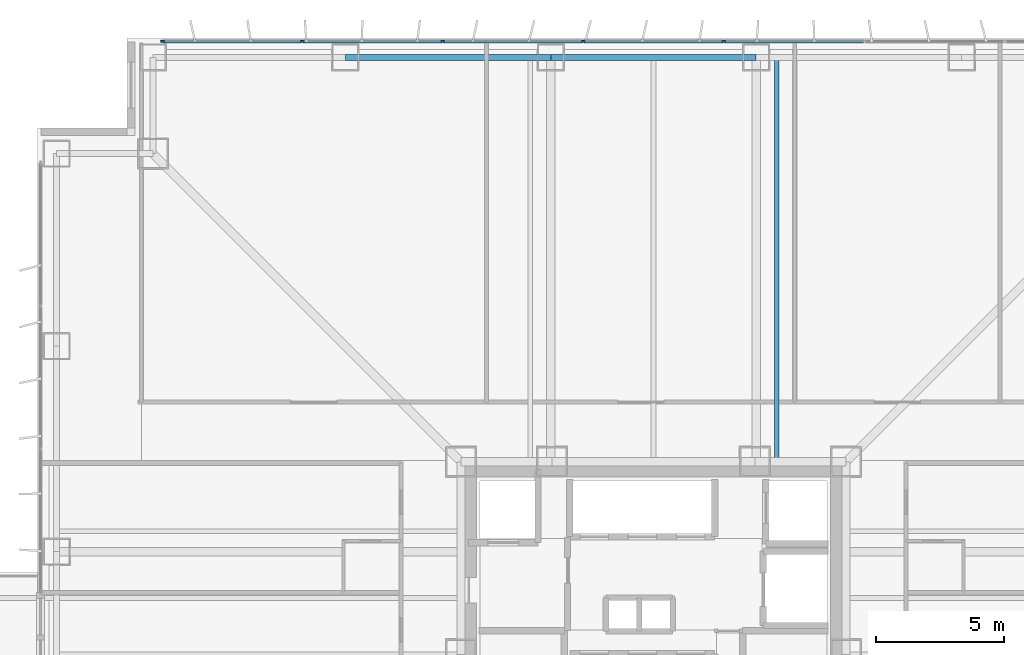
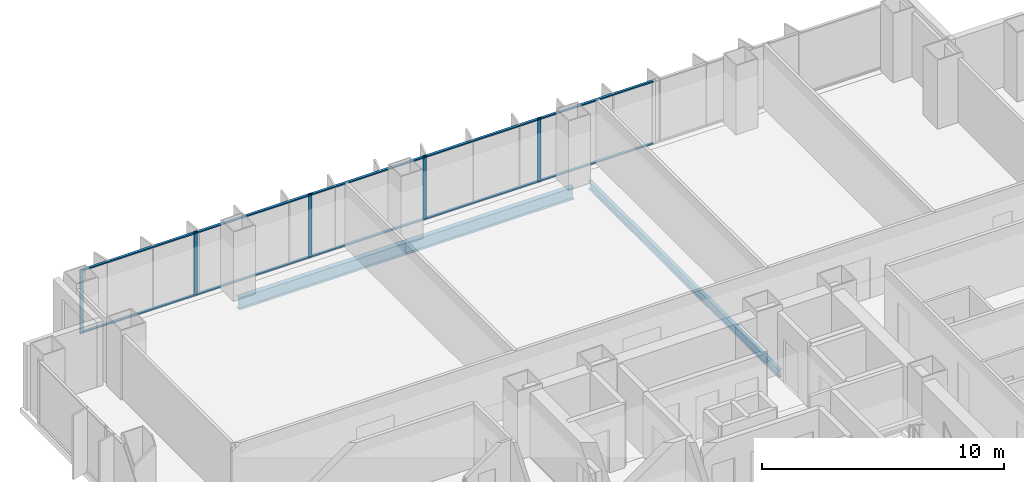
# One storey, part 8 of 16: 15 members, 3 beams, 1 element without a shape of its own.
"""IFC4 building model written with IfcOpenShell, lengths in metres."""

from ifc_helpers import new_model, si_unit, direction, frame, origin, origin_2d, place, context, subcontext, project, spatial, rectangle, i_section, extrude, material, layer, layer_set, material_profile, profile_set, type_object, element, aggregate, save


model = new_model("IFC4")

# Units and contexts
model_context = context("Model", 3, precision=1e-05, world=origin(), true_north=direction((0.0, 1.0)))
body_context = subcontext(model_context, "Body", "Model", "MODEL_VIEW")
ifc_project = project(units=[si_unit("LENGTHUNIT", "METRE"), si_unit("AREAUNIT", "SQUARE_METRE"), si_unit("VOLUMEUNIT", "CUBIC_METRE"), si_unit("PLANEANGLEUNIT", "RADIAN"), si_unit("MASSUNIT", "GRAM", prefix="KILO")], contexts=[model_context])

# Site, building, storey
site_placement = place(None, origin())
site = spatial("IfcSite", under=ifc_project, at=site_placement, CompositionType="ELEMENT")
building_placement = place(site_placement, origin())
building = spatial("IfcBuilding", under=site, at=building_placement, Name="Trevonay Congress Spire", CompositionType="ELEMENT")
storey_placement = place(building_placement, frame((0.0, 0.0, 48.0)))
storey = spatial("IfcBuildingStorey", under=building, at=storey_placement, Name="L11", CompositionType="ELEMENT", Elevation=48.0)

# Beams
ifc_material_1 = material(Name="Steel ASTM A572 Grade 50", Category="steel")
ifc_material_profile_1 = material_profile(ifc_material_1, i_section(OverallWidth=0.22998046875, OverallDepth=0.616943359375, WebThickness=0.01318359375, FlangeThickness=0.022216796875, FilletRadius=0.01611328125, at=origin_2d()), Name="W610x140")
ifc_profile_set_1 = profile_set([ifc_material_profile_1], Name="Steel ASTM A572 Grade 50")
beam_type_1 = type_object("IfcBeamType", Name="BM-RING-W610X140", PredefinedType="BEAM", material=ifc_profile_set_1)
for number, where, z_axis, x_axis, name in (
    (1, (-12.0, 23.25, -0.55859375), (1.0, 0.0, 0.0), (0.0, 1.0, 0.0), "L11 structural beam BM-L11-PN2"),
    (2, (-4.0, 23.25, -0.55859375), (1.0, 0.0, 0.0), (0.0, 1.0, 0.0), "L11 structural beam BM-L11-PN3"),
):
    element("IfcBeam", number, at=place(storey_placement, frame(where, z_axis=z_axis, x_axis=x_axis)), inside=storey, type_object=beam_type_1, Name=name, PredefinedType="BEAM", context=body_context, shape_type="SweptSolid", body=[
        extrude(i_section(OverallWidth=0.22998046875, OverallDepth=0.616943359375, WebThickness=0.01318359375, FlangeThickness=0.022216796875, FilletRadius=0.01611328125, at=origin_2d()), origin(), (0.0, 0.0, 1.0), 8.0),
    ])

# Curtain wall, members
ifc_material_2 = material(Name="Pale Anodised Aluminium EN AW-6063-T6", Category="aluminium")
ifc_layer = layer(ifc_material_2, 0.179931640625, Name="Pale Anodised Aluminium EN AW-6063-T6")
ifc_layer_set = layer_set([ifc_layer], Name="Pale Anodised Aluminium EN AW-6063-T6")
curtain_wall_type = type_object("IfcCurtainWallType", Name="CW-SYS02-HOTEL-PALE-METAL", PredefinedType="NOTDEFINED", material=ifc_layer_set)
curtain_wall_placement = place(storey_placement, origin())
curtain_wall = element("IfcCurtainWall", 3, at=curtain_wall_placement, inside=storey, type_object=curtain_wall_type, Name="L11 N unitised curtain wall", PredefinedType="NOTDEFINED")
ifc_material_profile_2 = material_profile(ifc_material_2, rectangle(XDim=0.06005859375, YDim=0.159912109375, at=origin_2d()), Name="CW-MULLION-160-ALUMINIUM")
ifc_profile_set_2 = profile_set([ifc_material_profile_2], Name="Pale Anodised Aluminium EN AW-6063-T6")
member_type_1 = type_object("IfcMemberType", Name="CW-MULLION-160-ALUMINIUM", PredefinedType="MULLION", material=ifc_profile_set_2)
member_1_placement = place(storey_placement, frame((-19.1201171875, 23.8798828125, 0.0), z_axis=(0.0, 0.0, 1.0), x_axis=(0.0, 1.0, 0.0)))
member_1 = element("IfcMember", 4, at=member_1_placement, type_object=member_type_1, Name="CW02 mullion 1", PredefinedType="MULLION", context=body_context, shape_type="SweptSolid", body=[
    extrude(rectangle(XDim=0.06005859375, YDim=0.159912109375, at=origin_2d()), origin(), (0.0, 0.0, 1.0), 3.25),
])
member_2_placement = place(storey_placement, frame((-13.678466796875, 23.8798828125, 0.0), z_axis=(0.0, 0.0, 1.0), x_axis=(0.0, 1.0, 0.0)))
member_2 = element("IfcMember", 5, at=member_2_placement, type_object=member_type_1, Name="CW02 mullion 2", PredefinedType="MULLION", context=body_context, shape_type="SweptSolid", body=[
    extrude(rectangle(XDim=0.06005859375, YDim=0.159912109375, at=origin_2d()), origin(), (0.0, 0.0, 1.0), 3.25),
])
member_3_placement = place(storey_placement, frame((-8.20703125, 23.8798828125, 0.0), z_axis=(0.0, 0.0, 1.0), x_axis=(0.0, 1.0, 0.0)))
member_3 = element("IfcMember", 6, at=member_3_placement, type_object=member_type_1, Name="CW02 mullion 3", PredefinedType="MULLION", context=body_context, shape_type="SweptSolid", body=[
    extrude(rectangle(XDim=0.06005859375, YDim=0.159912109375, at=origin_2d()), origin(), (0.0, 0.0, 1.0), 3.25),
])
member_4_placement = place(storey_placement, frame((-2.735595703125, 23.8798828125, 0.0), z_axis=(0.0, 0.0, 1.0), x_axis=(0.0, 1.0, 0.0)))
member_4 = element("IfcMember", 7, at=member_4_placement, type_object=member_type_1, Name="CW02 mullion 4", PredefinedType="MULLION", context=body_context, shape_type="SweptSolid", body=[
    extrude(rectangle(XDim=0.06005859375, YDim=0.159912109375, at=origin_2d()), origin(), (0.0, 0.0, 1.0), 3.25),
])
member_5_placement = place(storey_placement, frame((2.735595703125, 23.8798828125, 0.0), z_axis=(0.0, 0.0, 1.0), x_axis=(0.0, 1.0, 0.0)))
member_5 = element("IfcMember", 8, at=member_5_placement, type_object=member_type_1, Name="CW02 mullion 5", PredefinedType="MULLION", context=body_context, shape_type="SweptSolid", body=[
    extrude(rectangle(XDim=0.06005859375, YDim=0.159912109375, at=origin_2d()), origin(), (0.0, 0.0, 1.0), 3.25),
])
ifc_material_profile_3 = material_profile(ifc_material_2, rectangle(XDim=0.1201171875, YDim=0.06005859375, at=origin_2d()), Name="CW-TRANSOM-120-ALUMINIUM")
ifc_profile_set_3 = profile_set([ifc_material_profile_3], Name="Pale Anodised Aluminium EN AW-6063-T6")
member_type_2 = type_object("IfcMemberType", Name="CW-TRANSOM-120-ALUMINIUM", PredefinedType="USERDEFINED", material=ifc_profile_set_3)
member_6_placement = place(storey_placement, frame((-19.090087890625, 23.8798828125, 0.06005859375), z_axis=(1.0, 0.0, 0.0), x_axis=(0.0, 1.0, 0.0)))
member_6 = element("IfcMember", 9, at=member_6_placement, type_object=member_type_2, Name="CW02 transom 1.1", ObjectType="TRANSOM", PredefinedType="USERDEFINED", context=body_context, shape_type="SweptSolid", body=[
    extrude(rectangle(XDim=0.1201171875, YDim=0.06005859375, at=origin_2d()), origin(), (0.0, 0.0, 1.0), 5.381591796875),
])
member_7_placement = place(storey_placement, frame((-19.090087890625, 23.8798828125, 3.18994140625), z_axis=(1.0, 0.0, 0.0), x_axis=(0.0, 1.0, 0.0)))
member_7 = element("IfcMember", 10, at=member_7_placement, type_object=member_type_2, Name="CW02 transom 1.2", ObjectType="TRANSOM", PredefinedType="USERDEFINED", context=body_context, shape_type="SweptSolid", body=[
    extrude(rectangle(XDim=0.1201171875, YDim=0.06005859375, at=origin_2d()), origin(), (0.0, 0.0, 1.0), 5.381591796875),
])
member_8_placement = place(storey_placement, frame((-13.648681640625, 23.8798828125, 0.06005859375), z_axis=(1.0, 0.0, 0.0), x_axis=(0.0, 1.0, 0.0)))
member_8 = element("IfcMember", 11, at=member_8_placement, type_object=member_type_2, Name="CW02 transom 2.1", ObjectType="TRANSOM", PredefinedType="USERDEFINED", context=body_context, shape_type="SweptSolid", body=[
    extrude(rectangle(XDim=0.1201171875, YDim=0.06005859375, at=origin_2d()), origin(), (0.0, 0.0, 1.0), 5.41162109375),
])
member_9_placement = place(storey_placement, frame((-13.648681640625, 23.8798828125, 3.18994140625), z_axis=(1.0, 0.0, 0.0), x_axis=(0.0, 1.0, 0.0)))
member_9 = element("IfcMember", 12, at=member_9_placement, type_object=member_type_2, Name="CW02 transom 2.2", ObjectType="TRANSOM", PredefinedType="USERDEFINED", context=body_context, shape_type="SweptSolid", body=[
    extrude(rectangle(XDim=0.1201171875, YDim=0.06005859375, at=origin_2d()), origin(), (0.0, 0.0, 1.0), 5.41162109375),
])
member_10_placement = place(storey_placement, frame((-8.17724609375, 23.8798828125, 0.06005859375), z_axis=(1.0, 0.0, 0.0), x_axis=(0.0, 1.0, 0.0)))
member_10 = element("IfcMember", 13, at=member_10_placement, type_object=member_type_2, Name="CW02 transom 3.1", ObjectType="TRANSOM", PredefinedType="USERDEFINED", context=body_context, shape_type="SweptSolid", body=[
    extrude(rectangle(XDim=0.1201171875, YDim=0.06005859375, at=origin_2d()), origin(), (0.0, 0.0, 1.0), 5.41162109375),
])
member_11_placement = place(storey_placement, frame((-8.17724609375, 23.8798828125, 3.18994140625), z_axis=(1.0, 0.0, 0.0), x_axis=(0.0, 1.0, 0.0)))
member_11 = element("IfcMember", 14, at=member_11_placement, type_object=member_type_2, Name="CW02 transom 3.2", ObjectType="TRANSOM", PredefinedType="USERDEFINED", context=body_context, shape_type="SweptSolid", body=[
    extrude(rectangle(XDim=0.1201171875, YDim=0.06005859375, at=origin_2d()), origin(), (0.0, 0.0, 1.0), 5.41162109375),
])
member_12_placement = place(storey_placement, frame((-2.705810546875, 23.8798828125, 0.06005859375), z_axis=(1.0, 0.0, 0.0), x_axis=(0.0, 1.0, 0.0)))
member_12 = element("IfcMember", 15, at=member_12_placement, type_object=member_type_2, Name="CW02 transom 4.1", ObjectType="TRANSOM", PredefinedType="USERDEFINED", context=body_context, shape_type="SweptSolid", body=[
    extrude(rectangle(XDim=0.1201171875, YDim=0.06005859375, at=origin_2d()), origin(), (0.0, 0.0, 1.0), 5.41162109375),
])
member_13_placement = place(storey_placement, frame((-2.705810546875, 23.8798828125, 3.18994140625), z_axis=(1.0, 0.0, 0.0), x_axis=(0.0, 1.0, 0.0)))
member_13 = element("IfcMember", 16, at=member_13_placement, type_object=member_type_2, Name="CW02 transom 4.2", ObjectType="TRANSOM", PredefinedType="USERDEFINED", context=body_context, shape_type="SweptSolid", body=[
    extrude(rectangle(XDim=0.1201171875, YDim=0.06005859375, at=origin_2d()), origin(), (0.0, 0.0, 1.0), 5.41162109375),
])
member_14_placement = place(storey_placement, frame((2.765625, 23.8798828125, 0.06005859375), z_axis=(1.0, 0.0, 0.0), x_axis=(0.0, 1.0, 0.0)))
member_14 = element("IfcMember", 17, at=member_14_placement, type_object=member_type_2, Name="CW02 transom 5.1", ObjectType="TRANSOM", PredefinedType="USERDEFINED", context=body_context, shape_type="SweptSolid", body=[
    extrude(rectangle(XDim=0.1201171875, YDim=0.06005859375, at=origin_2d()), origin(), (0.0, 0.0, 1.0), 5.41162109375),
])
member_15_placement = place(storey_placement, frame((2.765625, 23.8798828125, 3.18994140625), z_axis=(1.0, 0.0, 0.0), x_axis=(0.0, 1.0, 0.0)))
member_15 = element("IfcMember", 18, at=member_15_placement, type_object=member_type_2, Name="CW02 transom 5.2", ObjectType="TRANSOM", PredefinedType="USERDEFINED", context=body_context, shape_type="SweptSolid", body=[
    extrude(rectangle(XDim=0.1201171875, YDim=0.06005859375, at=origin_2d()), origin(), (0.0, 0.0, 1.0), 5.41162109375),
])
aggregate(curtain_wall, [member_1, member_2, member_3, member_4, member_5, member_6, member_7, member_8, member_9, member_10, member_11, member_12, member_13, member_14, member_15])

# Beam
ifc_material_profile_4 = material_profile(ifc_material_1, i_section(OverallWidth=0.177978515625, OverallDepth=0.406982421875, WebThickness=0.0078125, FlangeThickness=0.0126953125, FilletRadius=0.012939453125, at=origin_2d()), Name="W410x60")
ifc_profile_set_4 = profile_set([ifc_material_profile_4], Name="Steel ASTM A572 Grade 50")
beam_type_2 = type_object("IfcBeamType", Name="JS-COMP-W410X60", PredefinedType="JOIST", material=ifc_profile_set_4)
beam_placement = place(storey_placement, frame((4.800048828125, 7.5, -0.45361328125), z_axis=(0.0, 1.0, 0.0), x_axis=(-1.0, 0.0, 0.0)))
element("IfcBeam", 19, at=beam_placement, inside=storey, type_object=beam_type_2, Name="L11 structural beam JS-L11-NS-N3", PredefinedType="JOIST", context=body_context, shape_type="SweptSolid", body=[
    extrude(i_section(OverallWidth=0.177978515625, OverallDepth=0.406982421875, WebThickness=0.0078125, FlangeThickness=0.0126953125, FilletRadius=0.012939453125, at=origin_2d()), origin(), (0.0, 0.0, 1.0), 15.75),
])

save(model, "model.ifc")
